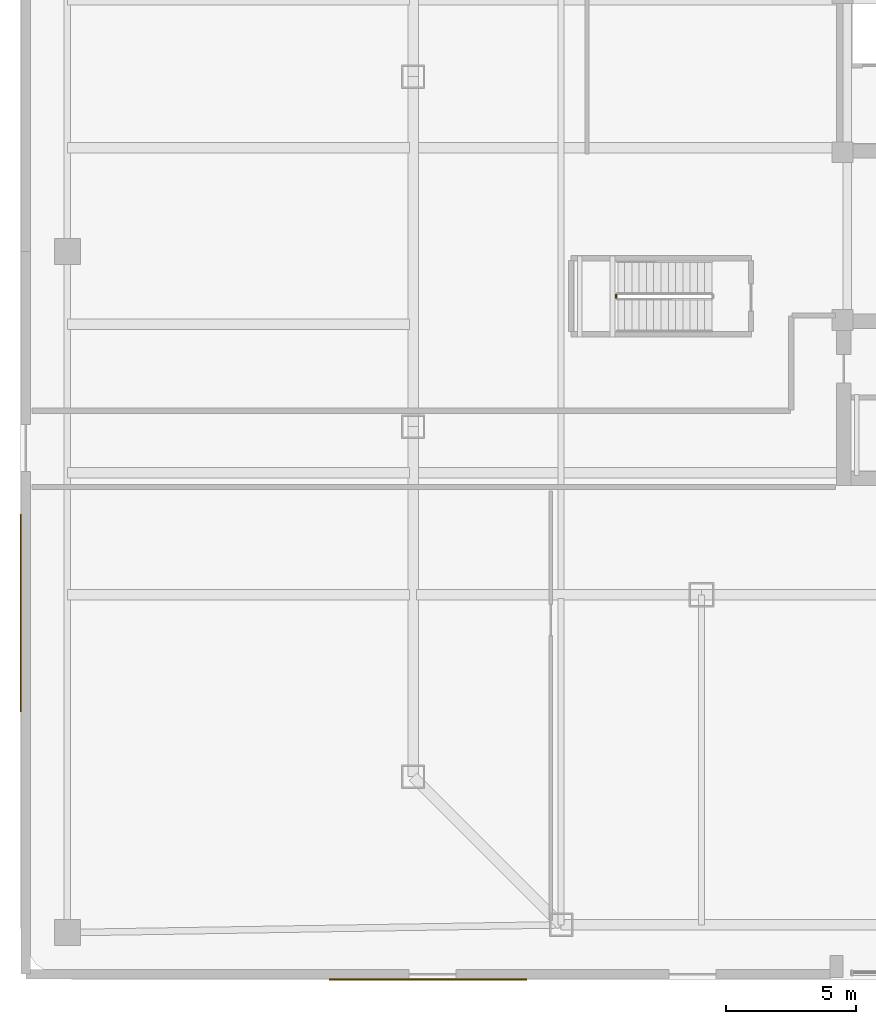
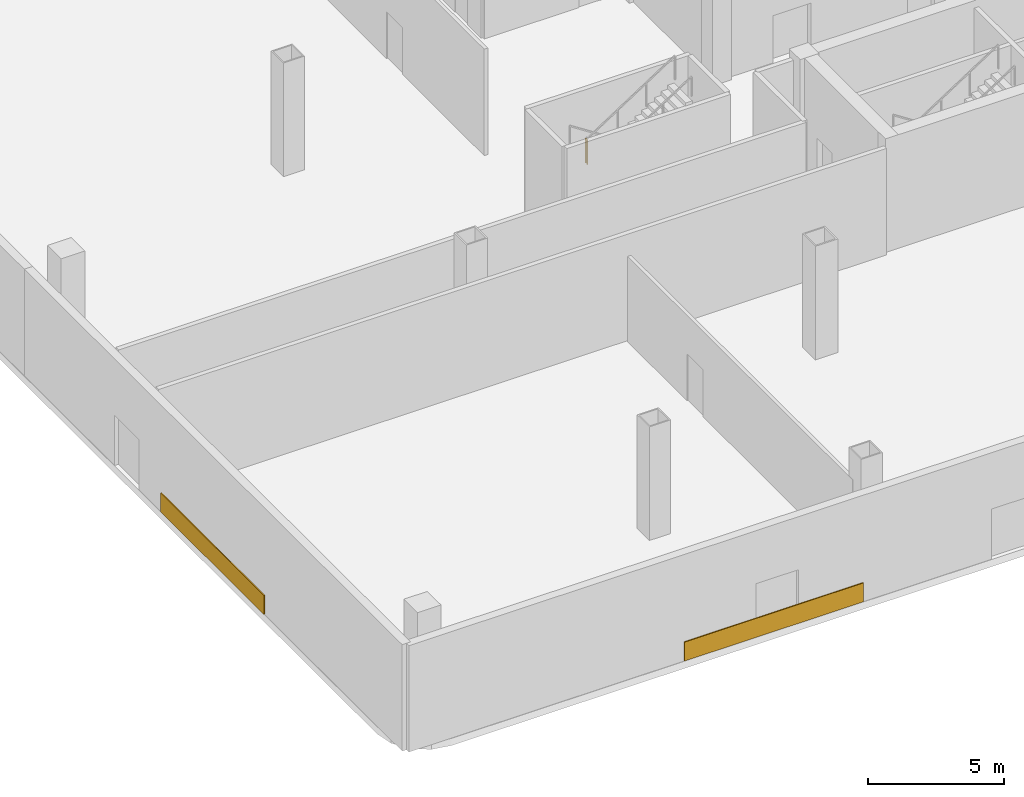
# One storey, part 15 of 21: 2 coverings, 1 railing.
"""IFC4 building model written with IfcOpenShell, lengths in metres."""

from ifc_helpers import new_model, si_unit, direction, frame, origin, origin_2d, place, context, subcontext, project, spatial, rectangle, extrude, material, layer, layer_set, type_object, element, save


model = new_model("IFC4")

# Units and contexts
model_context = context("Model", 3, precision=1e-05, world=origin(), true_north=direction((0.0, 1.0)))
body_context = subcontext(model_context, "Body", "Model", "MODEL_VIEW")
ifc_project = project(units=[si_unit("LENGTHUNIT", "METRE"), si_unit("AREAUNIT", "SQUARE_METRE"), si_unit("VOLUMEUNIT", "CUBIC_METRE"), si_unit("PLANEANGLEUNIT", "RADIAN"), si_unit("MASSUNIT", "GRAM", prefix="KILO")], contexts=[model_context])

# Site, building, storey
site_placement = place(None, origin())
site = spatial("IfcSite", under=ifc_project, at=site_placement, CompositionType="ELEMENT")
building_placement = place(site_placement, origin())
building = spatial("IfcBuilding", under=site, at=building_placement, Name="Qhalaya Broadcast Tower", CompositionType="ELEMENT")
storey_placement = place(building_placement, origin())
storey = spatial("IfcBuildingStorey", under=building, at=storey_placement, Name="L00", CompositionType="ELEMENT", Elevation=0.0)

# Coverings
ifc_material_1 = material(Name="Fired Architectural Terracotta", Category="masonry")
ifc_layer = layer(ifc_material_1, 0.044921875, Name="Fired Architectural Terracotta")
ifc_layer_set = layer_set([ifc_layer], Name="Fired Architectural Terracotta")
covering_type = type_object("IfcCoveringType", Name="Polychrome Terracotta Rainscreen Cladding CLD-01", PredefinedType="CLADDING", material=ifc_layer_set)
for number, where, z_axis, x_axis, name in (
    (1, (-25.320068359375, -28.0, 0.02490234375), (0.0, 0.0, 1.0), (-1.0, 0.0, 0.0), "L00 Terracotta Spandrel Cladding EW-SW"),
    (2, (-41.0, -13.89990234375, 0.02490234375), (0.0, 0.0, 1.0), (0.0, 1.0, 0.0), "L00 Terracotta Spandrel Cladding EW-WS"),
):
    element("IfcCovering", number, at=place(storey_placement, frame(where, z_axis=z_axis, x_axis=x_axis)), inside=storey, type_object=covering_type, Name=name, PredefinedType="CLADDING", context=body_context, shape_type="SweptSolid", body=[
        extrude(rectangle(XDim=7.60009765625, YDim=0.044921875, at=origin_2d()), origin(), (0.0, 0.0, 1.0), 0.85009765625),
    ])

# Railing
ifc_material_2 = material(Name="Powder-Coated Galvanised Steel", Category="steel")
railing_type = type_object("IfcRailingType", Name="Stair Well & Landing Guardrail 1100", PredefinedType="GUARDRAIL", material=ifc_material_2)
railing_placement = place(storey_placement, frame((-18.090087890625, -1.659912109375, 2.550048828125)))
element("IfcRailing", 3, at=railing_placement, inside=storey, type_object=railing_type, Name="L00 ST-P1 Stair Guard 2", PredefinedType="GUARDRAIL", context=body_context, shape_type="SweptSolid", body=[
    extrude(rectangle(XDim=0.048095703125, YDim=0.048095703125, at=origin_2d()), frame((0.0, 0.0, 1.076171875), z_axis=(0.0, -1.0, 0.0), x_axis=(1.0, 0.0, 0.0)), (0.0, 0.0, 1.0), 0.1201171875),
    extrude(rectangle(XDim=0.0419921875, YDim=0.0419921875, at=origin_2d()), origin(), (0.0, 0.0, 1.0), 1.050048828125),
    extrude(rectangle(XDim=0.0419921875, YDim=0.0419921875, at=origin_2d()), frame((0.0, -0.1201171875, 0.0)), (0.0, 0.0, 1.0), 1.050048828125),
])

save(model, "model.ifc")
